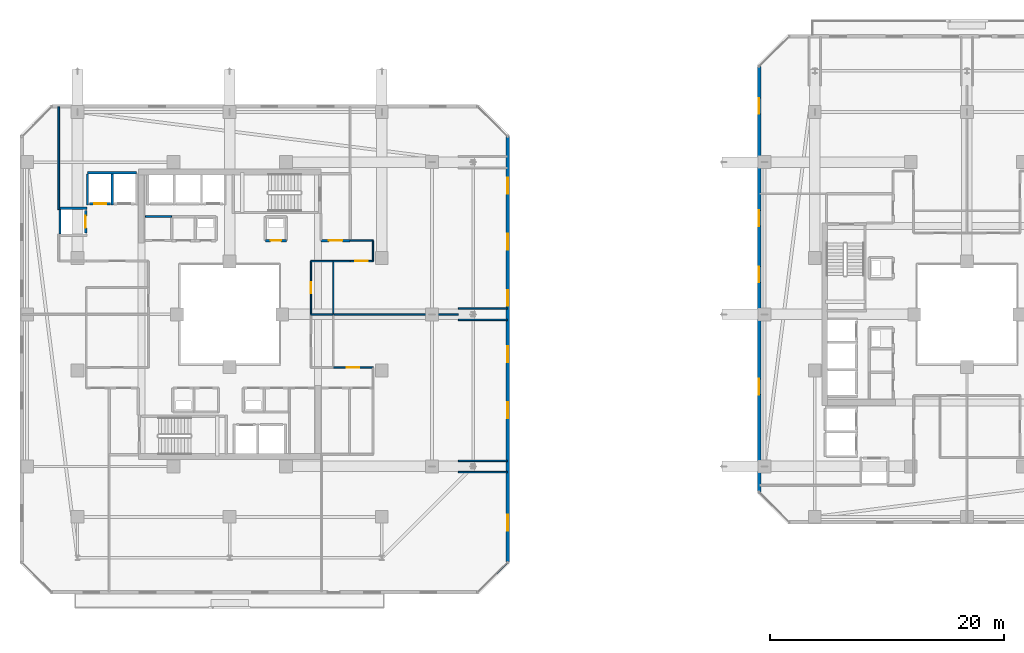
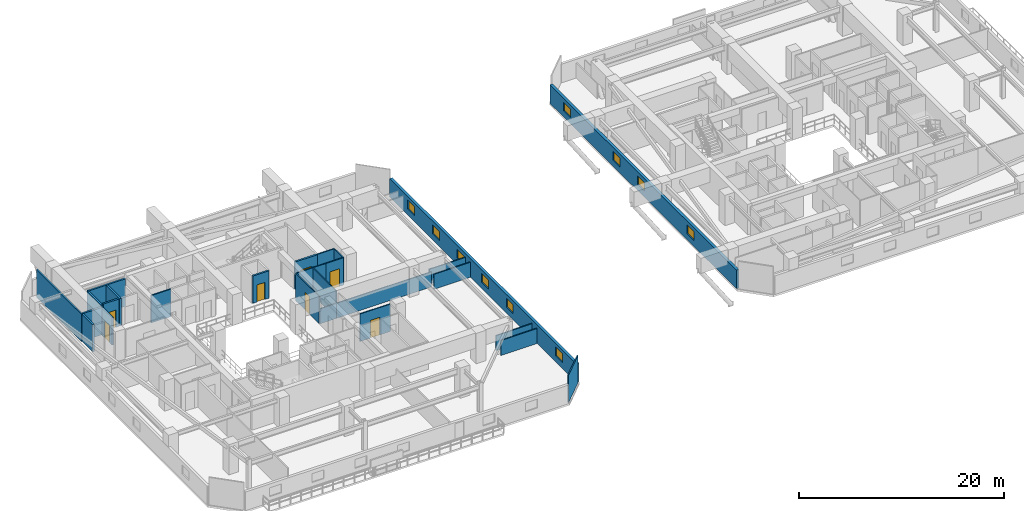
# One storey, part 24 of 36: 28 walls, 10 windows, 7 doors, 17 openings.
"""IFC4 building model written with IfcOpenShell, lengths in metres."""

from ifc_helpers import new_model, si_unit, direction, frame, frame_2d, origin, place, context, subcontext, project, spatial, rectangle, extrude, material, layer, layer_set, type_object, element, fill, save


model = new_model("IFC4")

# Units and contexts
model_context = context("Model", 3, precision=1e-05, world=origin(), true_north=direction((0.0, 1.0)))
body_context = subcontext(model_context, "Body", "Model", "MODEL_VIEW")
ifc_project = project(units=[si_unit("LENGTHUNIT", "METRE"), si_unit("AREAUNIT", "SQUARE_METRE"), si_unit("VOLUMEUNIT", "CUBIC_METRE"), si_unit("PLANEANGLEUNIT", "RADIAN"), si_unit("MASSUNIT", "GRAM", prefix="KILO")], contexts=[model_context])

# Site, building, storey
site_placement = place(None, origin())
site = spatial("IfcSite", under=ifc_project, at=site_placement, CompositionType="ELEMENT")
building_placement = place(site_placement, origin())
building = spatial("IfcBuilding", under=site, at=building_placement, Name="Thornwick Lancets Civic Towers", CompositionType="ELEMENT")
storey_placement = place(building_placement, frame((0.0, 0.0, 170.699951171875)))
storey = spatial("IfcBuildingStorey", under=building, at=storey_placement, Name="L45", CompositionType="ELEMENT", Elevation=170.699951171875)

# Wall, opening, door
ifc_material_1 = material(Name="Concrete blockwork C40/50", Category="masonry")
ifc_layer_1 = layer(ifc_material_1, 0.199951171875, Name="Concrete blockwork C40/50")
ifc_layer_set_1 = layer_set([ifc_layer_1], Name="Concrete blockwork C40/50")
wall_type_1 = type_object("IfcWallType", Name="WALL_COMP_200", PredefinedType="STANDARD", material=ifc_layer_set_1)
wall_1_placement = place(storey_placement, frame((15.320068359375, 36.449951171875, 0.0), z_axis=(0.0, 0.0, 1.0), x_axis=(-1.0, 0.0, 0.0)))
wall_1 = element("IfcWall", 1, at=wall_1_placement, inside=storey, type_object=wall_type_1, Name="L45 Hoistway Front Wall PL-AM2", PredefinedType="STANDARD", context=body_context, shape_type="SweptSolid", body=[
    extrude(rectangle(XDim=1.7900390625, YDim=0.199951171875, at=frame_2d((0.89501953125, 0.0))), origin(), (0.0, 0.0, 1.0), 3.260009765625),
])
opening_1_placement = place(wall_1_placement, frame((0.385009765625, 0.0, 0.0)))
opening_1 = element("IfcOpeningElement", 2, at=opening_1_placement, cuts=wall_1, Name="Opening LD-PL-AM2", PredefinedType="OPENING", context=body_context, shape_type="SweptSolid", body=[
    extrude(rectangle(XDim=1.02001953125, YDim=2.06005859375, at=frame_2d((0.510009765625, 1.030029296875))), frame((0.0, 0.10986328125, 0.0), z_axis=(0.0, -1.0, 0.0), x_axis=(1.0, 0.0, 0.0)), (0.0, 0.0, 1.0), 0.219970703125),
])
ifc_material_2 = material(Name="Brushed bronze stainless steel", Category="steel")
door_type_1 = type_object("IfcDoorType", Name="DOOR_LIFT_SLIDE", OperationType="SLIDING_TO_LEFT", PredefinedType="DOOR", material=ifc_material_2)
door_1_placement = place(opening_1_placement, origin())
door_1 = element("IfcDoor", 3, at=door_1_placement, inside=storey, type_object=door_type_1, Name="L45 Sliding Lift Landing Door LD-PL-AM2", OperationType="SLIDING_TO_LEFT", OverallHeight=2.06005859375, OverallWidth=1.02001953125, PredefinedType="DOOR", context=body_context, shape_type="SweptSolid", body=[
    extrude(rectangle(XDim=1.02001953125, YDim=2.06005859375, at=frame_2d((0.510009765625, 1.030029296875))), frame((0.0, 0.02490234375, 0.0), z_axis=(0.0, -1.0, 0.0), x_axis=(1.0, 0.0, 0.0)), (0.0, 0.0, 1.0), 0.050048828125),
])
fill(opening_1, door_1)

wall_2_placement = place(storey_placement, frame((13.199951171875, 33.929931640625, 0.0), z_axis=(0.0, 0.0, 1.0), x_axis=(0.0, 1.0, 0.0)))
wall_2 = element("IfcWall", 4, at=wall_2_placement, inside=storey, type_object=wall_type_1, Name="L45 Hoistway Front Wall PL-AM3", PredefinedType="STANDARD", context=body_context, shape_type="SweptSolid", body=[
    extrude(rectangle(XDim=1.940185546875, YDim=0.199951171875, at=frame_2d((0.97021484375, 0.0))), origin(), (0.0, 0.0, 1.0), 3.260009765625),
])
opening_2_placement = place(wall_2_placement, frame((0.4599609375, 0.0, 0.0)))
opening_2 = element("IfcOpeningElement", 5, at=opening_2_placement, cuts=wall_2, Name="Opening LD-PL-AM3", PredefinedType="OPENING", context=body_context, shape_type="SweptSolid", body=[
    extrude(rectangle(XDim=1.02001953125, YDim=2.06005859375, at=frame_2d((0.510009765625, 1.030029296875))), frame((0.0, 0.10986328125, 0.0), z_axis=(0.0, -1.0, 0.0), x_axis=(1.0, 0.0, 0.0)), (0.0, 0.0, 1.0), 0.219970703125),
])
door_2_placement = place(opening_2_placement, origin())
door_2 = element("IfcDoor", 6, at=door_2_placement, inside=storey, type_object=door_type_1, Name="L45 Sliding Lift Landing Door LD-PL-AM3", OperationType="SLIDING_TO_LEFT", OverallHeight=2.06005859375, OverallWidth=1.02001953125, PredefinedType="DOOR", context=body_context, shape_type="SweptSolid", body=[
    extrude(rectangle(XDim=1.02001953125, YDim=2.06005859375, at=frame_2d((0.510009765625, 1.030029296875))), frame((0.0, 0.02490234375, 0.0), z_axis=(0.0, -1.0, 0.0), x_axis=(1.0, 0.0, 0.0)), (0.0, 0.0, 1.0), 0.050048828125),
])
fill(opening_2, door_2)

# Walls
wall_3_placement = place(storey_placement, frame((13.35205078125, 39.10009765625, 0.0), z_axis=(0.0, 0.0, 1.0), x_axis=(1.0, 0.0, 0.0)))
element("IfcWall", 7, at=wall_3_placement, inside=storey, type_object=wall_type_1, Name="L45 Hoistway Shaft Wall PL-AM1 N", PredefinedType="STANDARD", context=body_context, shape_type="SweptSolid", body=[
    extrude(rectangle(XDim=4.196044921875, YDim=0.199951171875, at=frame_2d((2.09814453125, 0.0))), origin(), (0.0, 0.0, 1.0), 3.260009765625),
])
for number, where, z_axis, x_axis, name in (
    (8, (15.47509765625, 36.35205078125, 0.0), (0.0, 0.0, 1.0), (0.0, 1.0, 0.0), "L45 Hoistway Shaft Wall PL-AM1 W"),
    (9, (13.35009765625, 36.35205078125, 0.0), (0.0, 0.0, 1.0), (0.0, 1.0, 0.0), "L45 Hoistway Shaft Wall PL-AM2 W"),
):
    element("IfcWall", number, at=place(storey_placement, frame(where, z_axis=z_axis, x_axis=x_axis)), inside=storey, type_object=wall_type_1, Name=name, PredefinedType="STANDARD", context=body_context, shape_type="SweptSolid", body=[
        extrude(rectangle(XDim=2.635986328125, YDim=0.199951171875, at=frame_2d((1.31787109375, 0.0))), origin(), (0.0, 0.0, 1.0), 3.260009765625),
    ])
wall_4_placement = place(storey_placement, frame((11.001953125, 36.050048828125, 0.0), z_axis=(0.0, 0.0, 1.0), x_axis=(1.0, 0.0, 0.0)))
element("IfcWall", 10, at=wall_4_placement, inside=storey, type_object=wall_type_1, Name="L45 Hoistway Shaft Wall PL-AM3 N", PredefinedType="STANDARD", context=body_context, shape_type="SweptSolid", body=[
    extrude(rectangle(XDim=2.296142578125, YDim=0.199951171875, at=frame_2d((1.14794921875, 0.0))), origin(), (0.0, 0.0, 1.0), 3.260009765625),
])
wall_5_placement = place(storey_placement, frame((11.0, 33.862060546875, 0.0), z_axis=(0.0, 0.0, 1.0), x_axis=(0.0, 1.0, 0.0)))
element("IfcWall", 11, at=wall_5_placement, inside=storey, type_object=wall_type_1, Name="L45 Hoistway Shaft Wall PL-AM3 W", PredefinedType="STANDARD", context=body_context, shape_type="SweptSolid", body=[
    extrude(rectangle(XDim=2.075927734375, YDim=0.199951171875, at=frame_2d((1.0380859375, 0.0))), origin(), (0.0, 0.0, 1.0), 3.260009765625),
])

# Wall, opening, door
wall_6_placement = place(storey_placement, frame((33.300048828125, 33.300048828125, 0.0), z_axis=(0.0, 0.0, 1.0), x_axis=(1.0, 0.0, 0.0)))
wall_6 = element("IfcWall", 12, at=wall_6_placement, inside=storey, type_object=wall_type_1, Name="L45 Partition L45-A-FFLOB2 E1", PredefinedType="STANDARD", context=body_context, shape_type="SweptSolid", body=[
    extrude(rectangle(XDim=2.5, YDim=0.199951171875, at=frame_2d((1.25, 0.0))), origin(), (0.0, 0.0, 1.0), 3.260009765625),
])
opening_3_placement = place(wall_6_placement, frame((0.675048828125, 0.0, 0.0)))
opening_3 = element("IfcOpeningElement", 13, at=opening_3_placement, cuts=wall_6, Name="Opening D-L45-2004", PredefinedType="OPENING", context=body_context, shape_type="SweptSolid", body=[
    extrude(rectangle(XDim=1.14990234375, YDim=2.10009765625, at=frame_2d((0.574951171875, 1.050048828125))), frame((0.0, 0.10986328125, 0.0), z_axis=(0.0, -1.0, 0.0), x_axis=(1.0, 0.0, 0.0)), (0.0, 0.0, 1.0), 0.219970703125),
])
ifc_material_3 = material(Name="Glazed fire-resisting steel", Category="steel")
door_type_2 = type_object("IfcDoorType", Name="DOOR_LOBBY_FD60", OperationType="NOTDEFINED", PredefinedType="DOOR", material=ifc_material_3)
door_3_placement = place(opening_3_placement, origin())
door_3 = element("IfcDoor", 14, at=door_3_placement, inside=storey, type_object=door_type_2, Name="L45 North Firefighting Lobby 2 Door", OperationType="SINGLE_SWING_LEFT", OverallHeight=2.10009765625, OverallWidth=1.14990234375, PredefinedType="DOOR", context=body_context, shape_type="SweptSolid", body=[
    extrude(rectangle(XDim=1.14990234375, YDim=2.10009765625, at=frame_2d((0.574951171875, 1.050048828125))), frame((0.0, 0.02490234375, 0.0), z_axis=(0.0, -1.0, 0.0), x_axis=(1.0, 0.0, 0.0)), (0.0, 0.0, 1.0), 0.050048828125),
])
fill(opening_3, door_3)

wall_7_placement = place(storey_placement, frame((28.550048828125, 33.300048828125, 0.0), z_axis=(0.0, 0.0, 1.0), x_axis=(1.0, 0.0, 0.0)))
wall_7 = element("IfcWall", 15, at=wall_7_placement, inside=storey, type_object=wall_type_1, Name="L45 Partition L45-A-RISER2 E1", PredefinedType="STANDARD", context=body_context, shape_type="SweptSolid", body=[
    extrude(rectangle(XDim=1.800048828125, YDim=0.199951171875, at=frame_2d((0.89990234375, 0.0))), origin(), (0.0, 0.0, 1.0), 3.260009765625),
])
opening_4_placement = place(wall_7_placement, frame((0.4599609375, 0.0, 0.0)))
opening_4 = element("IfcOpeningElement", 16, at=opening_4_placement, cuts=wall_7, Name="Opening D-L45-2008", PredefinedType="OPENING", context=body_context, shape_type="SweptSolid", body=[
    extrude(rectangle(XDim=0.8798828125, YDim=2.0400390625, at=frame_2d((0.43994140625, 1.02001953125))), frame((0.0, 0.10986328125, 0.0), z_axis=(0.0, -1.0, 0.0), x_axis=(1.0, 0.0, 0.0)), (0.0, 0.0, 1.0), 0.219970703125),
])
ifc_material_4 = material(Name="Steel riser access doorset", Category="steel")
door_type_3 = type_object("IfcDoorType", Name="DOOR_RISER_850", OperationType="NOTDEFINED", PredefinedType="DOOR", material=ifc_material_4)
door_4_placement = place(opening_4_placement, origin())
door_4 = element("IfcDoor", 17, at=door_4_placement, inside=storey, type_object=door_type_3, Name="L45 North Service Riser 2 Door", OperationType="SINGLE_SWING_LEFT", OverallHeight=2.0400390625, OverallWidth=0.8798828125, PredefinedType="DOOR", context=body_context, shape_type="SweptSolid", body=[
    extrude(rectangle(XDim=0.8798828125, YDim=2.0400390625, at=frame_2d((0.43994140625, 1.02001953125))), frame((0.0, 0.02490234375, 0.0), z_axis=(0.0, -1.0, 0.0), x_axis=(1.0, 0.0, 0.0)), (0.0, 0.0, 1.0), 0.050048828125),
])
fill(opening_4, door_4)

# Wall, openings, windows
ifc_material_5 = material(Name="Insulated russet terracotta rainscreen on concrete C40/50", Category="masonry")
ifc_layer_2 = layer(ifc_material_5, 0.300048828125, Name="Insulated russet terracotta rainscreen on concrete C40/50")
ifc_layer_set_2 = layer_set([ifc_layer_2], Name="Insulated russet terracotta rainscreen on concrete C40/50")
wall_type_2 = type_object("IfcWallType", Name="WALL_EXT_RUSSET_300", PredefinedType="STANDARD", material=ifc_layer_set_2)
wall_8_placement = place(storey_placement, frame((49.2646484375, 5.818603515625, 0.0), z_axis=(0.0, 0.0, 1.0), x_axis=(0.0, 1.0, 0.0)))
wall_8 = element("IfcWall", 18, at=wall_8_placement, inside=storey, type_object=wall_type_2, Name="L45 Tower A Terracotta Facade Wall E2", PredefinedType="STANDARD", context=body_context, shape_type="SweptSolid", body=[
    extrude(rectangle(XDim=36.36279296875, YDim=0.300048828125, at=frame_2d((18.181396484375, 0.0))), origin(), (0.0, 0.0, 1.0), 2.219970703125),
])
opening_5_placement = place(wall_8_placement, frame((2.699951171875, 0.0, 0.719970703125)))
opening_5 = element("IfcOpeningElement", 19, at=opening_5_placement, cuts=wall_8, Name="Opening WL-03", PredefinedType="OPENING", context=body_context, shape_type="SweptSolid", body=[
    extrude(rectangle(XDim=1.35009765625, YDim=1.050048828125, at=frame_2d((0.675048828125, 0.52490234375))), frame((0.0, 0.16015625, 0.0), z_axis=(0.0, -1.0, 0.0), x_axis=(1.0, 0.0, 0.0)), (0.0, 0.0, 1.0), 0.320068359375),
])
opening_6_placement = place(wall_8_placement, frame((12.300048828125, 0.0, 0.719970703125)))
opening_6 = element("IfcOpeningElement", 20, at=opening_6_placement, cuts=wall_8, Name="Opening WL-03", PredefinedType="OPENING", context=body_context, shape_type="SweptSolid", body=[
    extrude(rectangle(XDim=1.35009765625, YDim=1.050048828125, at=frame_2d((0.675048828125, 0.52490234375))), frame((0.0, 0.16015625, 0.0), z_axis=(0.0, -1.0, 0.0), x_axis=(1.0, 0.0, 0.0)), (0.0, 0.0, 1.0), 0.320068359375),
])
opening_7_placement = place(wall_8_placement, frame((17.10009765625, 0.0, 0.719970703125)))
opening_7 = element("IfcOpeningElement", 21, at=opening_7_placement, cuts=wall_8, Name="Opening WL-03", PredefinedType="OPENING", context=body_context, shape_type="SweptSolid", body=[
    extrude(rectangle(XDim=1.35009765625, YDim=1.050048828125, at=frame_2d((0.675048828125, 0.52490234375))), frame((0.0, 0.16015625, 0.0), z_axis=(0.0, -1.0, 0.0), x_axis=(1.0, 0.0, 0.0)), (0.0, 0.0, 1.0), 0.320068359375),
])
opening_8_placement = place(wall_8_placement, frame((21.89990234375, 0.0, 0.719970703125)))
opening_8 = element("IfcOpeningElement", 22, at=opening_8_placement, cuts=wall_8, Name="Opening WL-03", PredefinedType="OPENING", context=body_context, shape_type="SweptSolid", body=[
    extrude(rectangle(XDim=1.35009765625, YDim=1.050048828125, at=frame_2d((0.675048828125, 0.52490234375))), frame((0.0, 0.16015625, 0.0), z_axis=(0.0, -1.0, 0.0), x_axis=(1.0, 0.0, 0.0)), (0.0, 0.0, 1.0), 0.320068359375),
])
opening_9_placement = place(wall_8_placement, frame((26.699951171875, 0.0, 0.719970703125)))
opening_9 = element("IfcOpeningElement", 23, at=opening_9_placement, cuts=wall_8, Name="Opening WL-03", PredefinedType="OPENING", context=body_context, shape_type="SweptSolid", body=[
    extrude(rectangle(XDim=1.35009765625, YDim=1.050048828125, at=frame_2d((0.675048828125, 0.52490234375))), frame((0.0, 0.16015625, 0.0), z_axis=(0.0, -1.0, 0.0), x_axis=(1.0, 0.0, 0.0)), (0.0, 0.0, 1.0), 0.320068359375),
])
opening_10_placement = place(wall_8_placement, frame((31.5, 0.0, 0.719970703125)))
opening_10 = element("IfcOpeningElement", 24, at=opening_10_placement, cuts=wall_8, Name="Opening WL-03", PredefinedType="OPENING", context=body_context, shape_type="SweptSolid", body=[
    extrude(rectangle(XDim=1.35009765625, YDim=1.050048828125, at=frame_2d((0.675048828125, 0.52490234375))), frame((0.0, 0.16015625, 0.0), z_axis=(0.0, -1.0, 0.0), x_axis=(1.0, 0.0, 0.0)), (0.0, 0.0, 1.0), 0.320068359375),
])
ifc_material_6 = material(Name="Clear low-e double glazing clerestory lancet", Category="glass")
window_type = type_object("IfcWindowType", Name="WIN_LANCET_1350", PartitioningType="SINGLE_PANEL", PredefinedType="WINDOW", material=ifc_material_6)
window_1_placement = place(opening_5_placement, origin())
window_1 = element("IfcWindow", 25, at=window_1_placement, inside=storey, type_object=window_type, Name="L45 Tower A Staggered Lancet Window E2-1", OverallHeight=1.050048828125, OverallWidth=1.35009765625, PartitioningType="SINGLE_PANEL", PredefinedType="WINDOW", context=body_context, shape_type="SweptSolid", body=[
    extrude(rectangle(XDim=1.35009765625, YDim=1.050048828125, at=frame_2d((0.675048828125, 0.52490234375))), frame((0.0, 0.030029296875, 0.0), z_axis=(0.0, -1.0, 0.0), x_axis=(1.0, 0.0, 0.0)), (0.0, 0.0, 1.0), 0.06005859375),
])
fill(opening_5, window_1)
window_2_placement = place(opening_6_placement, origin())
window_2 = element("IfcWindow", 26, at=window_2_placement, inside=storey, type_object=window_type, Name="L45 Tower A Staggered Lancet Window E2-2", OverallHeight=1.050048828125, OverallWidth=1.35009765625, PartitioningType="SINGLE_PANEL", PredefinedType="WINDOW", context=body_context, shape_type="SweptSolid", body=[
    extrude(rectangle(XDim=1.35009765625, YDim=1.050048828125, at=frame_2d((0.675048828125, 0.52490234375))), frame((0.0, 0.030029296875, 0.0), z_axis=(0.0, -1.0, 0.0), x_axis=(1.0, 0.0, 0.0)), (0.0, 0.0, 1.0), 0.06005859375),
])
fill(opening_6, window_2)
window_3_placement = place(opening_7_placement, origin())
window_3 = element("IfcWindow", 27, at=window_3_placement, inside=storey, type_object=window_type, Name="L45 Tower A Staggered Lancet Window E2-3", OverallHeight=1.050048828125, OverallWidth=1.35009765625, PartitioningType="SINGLE_PANEL", PredefinedType="WINDOW", context=body_context, shape_type="SweptSolid", body=[
    extrude(rectangle(XDim=1.35009765625, YDim=1.050048828125, at=frame_2d((0.675048828125, 0.52490234375))), frame((0.0, 0.030029296875, 0.0), z_axis=(0.0, -1.0, 0.0), x_axis=(1.0, 0.0, 0.0)), (0.0, 0.0, 1.0), 0.06005859375),
])
fill(opening_7, window_3)
window_4_placement = place(opening_8_placement, origin())
window_4 = element("IfcWindow", 28, at=window_4_placement, inside=storey, type_object=window_type, Name="L45 Tower A Staggered Lancet Window E2-4", OverallHeight=1.050048828125, OverallWidth=1.35009765625, PartitioningType="SINGLE_PANEL", PredefinedType="WINDOW", context=body_context, shape_type="SweptSolid", body=[
    extrude(rectangle(XDim=1.35009765625, YDim=1.050048828125, at=frame_2d((0.675048828125, 0.52490234375))), frame((0.0, 0.030029296875, 0.0), z_axis=(0.0, -1.0, 0.0), x_axis=(1.0, 0.0, 0.0)), (0.0, 0.0, 1.0), 0.06005859375),
])
fill(opening_8, window_4)
window_5_placement = place(opening_9_placement, origin())
window_5 = element("IfcWindow", 29, at=window_5_placement, inside=storey, type_object=window_type, Name="L45 Tower A Staggered Lancet Window E2-5", OverallHeight=1.050048828125, OverallWidth=1.35009765625, PartitioningType="SINGLE_PANEL", PredefinedType="WINDOW", context=body_context, shape_type="SweptSolid", body=[
    extrude(rectangle(XDim=1.35009765625, YDim=1.050048828125, at=frame_2d((0.675048828125, 0.52490234375))), frame((0.0, 0.030029296875, 0.0), z_axis=(0.0, -1.0, 0.0), x_axis=(1.0, 0.0, 0.0)), (0.0, 0.0, 1.0), 0.06005859375),
])
fill(opening_9, window_5)
window_6_placement = place(opening_10_placement, origin())
window_6 = element("IfcWindow", 30, at=window_6_placement, inside=storey, type_object=window_type, Name="L45 Tower A Staggered Lancet Window E2-6", OverallHeight=1.050048828125, OverallWidth=1.35009765625, PartitioningType="SINGLE_PANEL", PredefinedType="WINDOW", context=body_context, shape_type="SweptSolid", body=[
    extrude(rectangle(XDim=1.35009765625, YDim=1.050048828125, at=frame_2d((0.675048828125, 0.52490234375))), frame((0.0, 0.030029296875, 0.0), z_axis=(0.0, -1.0, 0.0), x_axis=(1.0, 0.0, 0.0)), (0.0, 0.0, 1.0), 0.06005859375),
])
fill(opening_10, window_6)

wall_9_placement = place(storey_placement, frame((70.7353515625, 48.181396484375, 0.0), z_axis=(0.0, 0.0, 1.0), x_axis=(0.0, -1.0, 0.0)))
wall_9 = element("IfcWall", 31, at=wall_9_placement, inside=storey, type_object=wall_type_2, Name="L45 Tower B Terracotta Facade Wall E6", PredefinedType="STANDARD", context=body_context, shape_type="SweptSolid", body=[
    extrude(rectangle(XDim=36.36279296875, YDim=0.300048828125, at=frame_2d((18.181396484375, 0.0))), origin(), (0.0, 0.0, 1.0), 2.219970703125),
])
opening_11_placement = place(wall_9_placement, frame((2.699951171875, 0.0, 0.719970703125)))
opening_11 = element("IfcOpeningElement", 32, at=opening_11_placement, cuts=wall_9, Name="Opening WL-03", PredefinedType="OPENING", context=body_context, shape_type="SweptSolid", body=[
    extrude(rectangle(XDim=1.35009765625, YDim=1.050048828125, at=frame_2d((0.675048828125, 0.52490234375))), frame((0.0, 0.16015625, 0.0), z_axis=(0.0, -1.0, 0.0), x_axis=(1.0, 0.0, 0.0)), (0.0, 0.0, 1.0), 0.320068359375),
])
opening_12_placement = place(wall_9_placement, frame((12.300048828125, 0.0, 0.719970703125)))
opening_12 = element("IfcOpeningElement", 33, at=opening_12_placement, cuts=wall_9, Name="Opening WL-03", PredefinedType="OPENING", context=body_context, shape_type="SweptSolid", body=[
    extrude(rectangle(XDim=1.35009765625, YDim=1.050048828125, at=frame_2d((0.675048828125, 0.52490234375))), frame((0.0, 0.16015625, 0.0), z_axis=(0.0, -1.0, 0.0), x_axis=(1.0, 0.0, 0.0)), (0.0, 0.0, 1.0), 0.320068359375),
])
opening_13_placement = place(wall_9_placement, frame((17.10009765625, 0.0, 0.719970703125)))
opening_13 = element("IfcOpeningElement", 34, at=opening_13_placement, cuts=wall_9, Name="Opening WL-03", PredefinedType="OPENING", context=body_context, shape_type="SweptSolid", body=[
    extrude(rectangle(XDim=1.35009765625, YDim=1.050048828125, at=frame_2d((0.675048828125, 0.52490234375))), frame((0.0, 0.16015625, 0.0), z_axis=(0.0, -1.0, 0.0), x_axis=(1.0, 0.0, 0.0)), (0.0, 0.0, 1.0), 0.320068359375),
])
opening_14_placement = place(wall_9_placement, frame((26.699951171875, 0.0, 0.719970703125)))
opening_14 = element("IfcOpeningElement", 35, at=opening_14_placement, cuts=wall_9, Name="Opening WL-03", PredefinedType="OPENING", context=body_context, shape_type="SweptSolid", body=[
    extrude(rectangle(XDim=1.35009765625, YDim=1.050048828125, at=frame_2d((0.675048828125, 0.52490234375))), frame((0.0, 0.16015625, 0.0), z_axis=(0.0, -1.0, 0.0), x_axis=(1.0, 0.0, 0.0)), (0.0, 0.0, 1.0), 0.320068359375),
])
window_7_placement = place(opening_11_placement, origin())
window_7 = element("IfcWindow", 36, at=window_7_placement, inside=storey, type_object=window_type, Name="L45 Tower B Staggered Lancet Window E6-1", OverallHeight=1.050048828125, OverallWidth=1.35009765625, PartitioningType="SINGLE_PANEL", PredefinedType="WINDOW", context=body_context, shape_type="SweptSolid", body=[
    extrude(rectangle(XDim=1.35009765625, YDim=1.050048828125, at=frame_2d((0.675048828125, 0.52490234375))), frame((0.0, 0.030029296875, 0.0), z_axis=(0.0, -1.0, 0.0), x_axis=(1.0, 0.0, 0.0)), (0.0, 0.0, 1.0), 0.06005859375),
])
fill(opening_11, window_7)
window_8_placement = place(opening_12_placement, origin())
window_8 = element("IfcWindow", 37, at=window_8_placement, inside=storey, type_object=window_type, Name="L45 Tower B Staggered Lancet Window E6-2", OverallHeight=1.050048828125, OverallWidth=1.35009765625, PartitioningType="SINGLE_PANEL", PredefinedType="WINDOW", context=body_context, shape_type="SweptSolid", body=[
    extrude(rectangle(XDim=1.35009765625, YDim=1.050048828125, at=frame_2d((0.675048828125, 0.52490234375))), frame((0.0, 0.030029296875, 0.0), z_axis=(0.0, -1.0, 0.0), x_axis=(1.0, 0.0, 0.0)), (0.0, 0.0, 1.0), 0.06005859375),
])
fill(opening_12, window_8)
window_9_placement = place(opening_13_placement, origin())
window_9 = element("IfcWindow", 38, at=window_9_placement, inside=storey, type_object=window_type, Name="L45 Tower B Staggered Lancet Window E6-3", OverallHeight=1.050048828125, OverallWidth=1.35009765625, PartitioningType="SINGLE_PANEL", PredefinedType="WINDOW", context=body_context, shape_type="SweptSolid", body=[
    extrude(rectangle(XDim=1.35009765625, YDim=1.050048828125, at=frame_2d((0.675048828125, 0.52490234375))), frame((0.0, 0.030029296875, 0.0), z_axis=(0.0, -1.0, 0.0), x_axis=(1.0, 0.0, 0.0)), (0.0, 0.0, 1.0), 0.06005859375),
])
fill(opening_13, window_9)
window_10_placement = place(opening_14_placement, origin())
window_10 = element("IfcWindow", 39, at=window_10_placement, inside=storey, type_object=window_type, Name="L45 Tower B Staggered Lancet Window E6-4", OverallHeight=1.050048828125, OverallWidth=1.35009765625, PartitioningType="SINGLE_PANEL", PredefinedType="WINDOW", context=body_context, shape_type="SweptSolid", body=[
    extrude(rectangle(XDim=1.35009765625, YDim=1.050048828125, at=frame_2d((0.675048828125, 0.52490234375))), frame((0.0, 0.030029296875, 0.0), z_axis=(0.0, -1.0, 0.0), x_axis=(1.0, 0.0, 0.0)), (0.0, 0.0, 1.0), 0.06005859375),
])
fill(opening_14, window_10)

# Wall
ifc_material_7 = material(Name="Acoustic gypsum board partition")
ifc_layer_3 = layer(ifc_material_7, 0.1201171875, Name="Acoustic gypsum board partition")
ifc_layer_set_3 = layer_set([ifc_layer_3], Name="Acoustic gypsum board partition")
wall_type_3 = type_object("IfcWallType", Name="WALL_PART_120", PredefinedType="PARTITIONING", material=ifc_layer_set_3)
wall_10_placement = place(storey_placement, frame((32.449951171875, 27.0, 0.0), z_axis=(0.0, 0.0, 1.0), x_axis=(1.0, 0.0, 0.0)))
element("IfcWall", 40, at=wall_10_placement, inside=storey, type_object=wall_type_3, Name="L45 Partition L45-A-E1 E2", PredefinedType="PARTITIONING", context=body_context, shape_type="SweptSolid", body=[
    extrude(rectangle(XDim=1.900146484375, YDim=0.1201171875, at=frame_2d((0.9501953125, 0.0))), origin(), (0.0, 0.0, 1.0), 1.78515625),
])

# Wall, opening, door
wall_11_placement = place(storey_placement, frame((37.75, 22.449951171875, 0.0), z_axis=(0.0, 0.0, 1.0), x_axis=(-1.0, 0.0, 0.0)))
wall_11 = element("IfcWall", 41, at=wall_11_placement, inside=storey, type_object=wall_type_3, Name="L45 Partition L45-A-E2 E7", PredefinedType="PARTITIONING", context=body_context, shape_type="SweptSolid", body=[
    extrude(rectangle(XDim=3.39990234375, YDim=0.1201171875, at=frame_2d((1.699951171875, 0.0))), origin(), (0.0, 0.0, 1.0), 3.260009765625),
])
opening_15_placement = place(wall_11_placement, frame((1.175048828125, 0.0, 0.0)))
opening_15 = element("IfcOpeningElement", 42, at=opening_15_placement, cuts=wall_11, Name="Opening D-L45-2032", PredefinedType="OPENING", context=body_context, shape_type="SweptSolid", body=[
    extrude(rectangle(XDim=1.050048828125, YDim=2.10009765625, at=frame_2d((0.52490234375, 1.050048828125))), frame((0.0, 0.070068359375, 0.0), z_axis=(0.0, -1.0, 0.0), x_axis=(1.0, 0.0, 0.0)), (0.0, 0.0, 1.0), 0.14013671875),
])
ifc_material_8 = material(Name="Glazed European oak executive doorset")
door_type_4 = type_object("IfcDoorType", Name="DOOR_OFFICE_1050", OperationType="NOTDEFINED", PredefinedType="DOOR", material=ifc_material_8)
door_5_placement = place(opening_15_placement, origin())
door_5 = element("IfcDoor", 43, at=door_5_placement, inside=storey, type_object=door_type_4, Name="L45 Tower A Secretariat Open Office E1 Door", OperationType="SINGLE_SWING_LEFT", OverallHeight=2.10009765625, OverallWidth=1.050048828125, PredefinedType="DOOR", context=body_context, shape_type="SweptSolid", body=[
    extrude(rectangle(XDim=1.050048828125, YDim=2.10009765625, at=frame_2d((0.52490234375, 1.050048828125))), frame((0.0, 0.02490234375, 0.0), z_axis=(0.0, -1.0, 0.0), x_axis=(1.0, 0.0, 0.0)), (0.0, 0.0, 1.0), 0.050048828125),
])
fill(opening_15, door_5)

# Walls
wall_12_placement = place(storey_placement, frame((34.35009765625, 27.0, 0.0), z_axis=(0.0, 0.0, 1.0), x_axis=(1.0, 0.0, 0.0)))
element("IfcWall", 44, at=wall_12_placement, inside=storey, type_object=wall_type_3, Name="L45 Partition L45-A-E2 E9", PredefinedType="PARTITIONING", context=body_context, shape_type="SweptSolid", body=[
    extrude(rectangle(XDim=10.69189453125, YDim=0.1201171875, at=frame_2d((5.345947265625, 0.0))), origin(), (0.0, 0.0, 1.0), 1.78515625),
])
for number, where, z_axis, x_axis, name in (
    (45, (45.0419921875, 26.52001953125, 0.0), (0.0, 0.0, 1.0), (1.0, 0.0, 0.0), "L45 Partition L45-A-E2 E11"),
    (46, (49.219970703125, 14.47998046875, 0.0), (0.0, 0.0, 1.0), (-1.0, 0.0, 0.0), "L45 Partition L45-A-E2 E13"),
    (47, (45.0419921875, 13.52001953125, 0.0), (0.0, 0.0, 1.0), (1.0, 0.0, 0.0), "L45 Partition L45-A-E2 E15"),
):
    element("IfcWall", number, at=place(storey_placement, frame(where, z_axis=z_axis, x_axis=x_axis)), inside=storey, type_object=wall_type_3, Name=name, PredefinedType="PARTITIONING", context=body_context, shape_type="SweptSolid", body=[
        extrude(rectangle(XDim=4.177978515625, YDim=0.1201171875, at=frame_2d((2.0888671875, 0.0))), origin(), (0.0, 0.0, 1.0), 1.78515625),
    ])
wall_13_placement = place(storey_placement, frame((49.219970703125, 5.774658203125, 0.0), z_axis=(0.0, 0.0, 1.0), x_axis=(-0.707106781187, -0.707106781187, 0.0)))
element("IfcWall", 48, at=wall_13_placement, inside=storey, type_object=wall_type_3, Name="L45 Partition L45-A-E2 E17", PredefinedType="PARTITIONING", context=body_context, shape_type="SweptSolid", body=[
    extrude(rectangle(XDim=3.52783203125, YDim=0.1201171875, at=frame_2d((1.763916015625, 0.0))), origin(), (0.0, 0.0, 1.0), 3.260009765625),
])

# Wall, opening, door
wall_14_placement = place(storey_placement, frame((32.449951171875, 27.0, 0.0), z_axis=(0.0, 0.0, 1.0), x_axis=(0.0, 1.0, 0.0)))
wall_14 = element("IfcWall", 49, at=wall_14_placement, inside=storey, type_object=wall_type_3, Name="L45 Partition L45-A-E3 E1", PredefinedType="PARTITIONING", context=body_context, shape_type="SweptSolid", body=[
    extrude(rectangle(XDim=4.550048828125, YDim=0.1201171875, at=frame_2d((2.27490234375, 0.0))), origin(), (0.0, 0.0, 1.0), 3.260009765625),
])
opening_16_placement = place(wall_14_placement, frame((1.800048828125, 0.0, 0.0)))
opening_16 = element("IfcOpeningElement", 50, at=opening_16_placement, cuts=wall_14, Name="Opening D-L45-2033", PredefinedType="OPENING", context=body_context, shape_type="SweptSolid", body=[
    extrude(rectangle(XDim=0.949951171875, YDim=2.10009765625, at=frame_2d((0.47509765625, 1.050048828125))), frame((0.0, 0.070068359375, 0.0), z_axis=(0.0, -1.0, 0.0), x_axis=(1.0, 0.0, 0.0)), (0.0, 0.0, 1.0), 0.14013671875),
])
ifc_material_9 = material(Name="European oak acoustic doorset")
door_type_5 = type_object("IfcDoorType", Name="DOOR_OFFICE_950", OperationType="NOTDEFINED", PredefinedType="DOOR", material=ifc_material_9)
door_6_placement = place(opening_16_placement, origin())
door_6 = element("IfcDoor", 51, at=door_6_placement, inside=storey, type_object=door_type_5, Name="L45 Tower A Civic Seminar Room Door", OperationType="SINGLE_SWING_RIGHT", OverallHeight=2.10009765625, OverallWidth=0.949951171875, PredefinedType="DOOR", context=body_context, shape_type="SweptSolid", body=[
    extrude(rectangle(XDim=0.949951171875, YDim=2.10009765625, at=frame_2d((0.47509765625, 1.050048828125))), frame((0.0, 0.02490234375, 0.0), z_axis=(0.0, -1.0, 0.0), x_axis=(1.0, 0.0, 0.0)), (0.0, 0.0, 1.0), 0.050048828125),
])
fill(opening_16, door_6)

# Walls
wall_15_placement = place(storey_placement, frame((32.449951171875, 31.550048828125, 0.0), z_axis=(0.0, 0.0, 1.0), x_axis=(1.0, 0.0, 0.0)))
element("IfcWall", 52, at=wall_15_placement, inside=storey, type_object=wall_type_3, Name="L45 Partition L45-A-E3 E2", PredefinedType="PARTITIONING", context=body_context, shape_type="SweptSolid", body=[
    extrude(rectangle(XDim=1.900146484375, YDim=0.1201171875, at=frame_2d((0.9501953125, 0.0))), origin(), (0.0, 0.0, 1.0), 3.260009765625),
])
wall_16_placement = place(storey_placement, frame((34.35009765625, 31.550048828125, 0.0), z_axis=(0.0, 0.0, 1.0), x_axis=(0.0, -1.0, 0.0)))
element("IfcWall", 53, at=wall_16_placement, inside=storey, type_object=wall_type_3, Name="L45 Partition L45-A-E3 E3", PredefinedType="PARTITIONING", context=body_context, shape_type="SweptSolid", body=[
    extrude(rectangle(XDim=4.550048828125, YDim=0.1201171875, at=frame_2d((2.27490234375, 0.0))), origin(), (0.0, 0.0, 1.0), 3.260009765625),
])
wall_17_placement = place(storey_placement, frame((34.35009765625, 31.550048828125, 0.0), z_axis=(0.0, 0.0, 1.0), x_axis=(1.0, 0.0, 0.0)))
element("IfcWall", 54, at=wall_17_placement, inside=storey, type_object=wall_type_3, Name="L45 Partition L45-A-E4 E1", PredefinedType="PARTITIONING", context=body_context, shape_type="SweptSolid", body=[
    extrude(rectangle(XDim=1.449951171875, YDim=0.1201171875, at=frame_2d((0.72509765625, 0.0))), origin(), (0.0, 0.0, 1.0), 3.260009765625),
])

# Wall, opening, door
wall_18_placement = place(storey_placement, frame((35.800048828125, 31.550048828125, 0.0), z_axis=(0.0, 0.0, 1.0), x_axis=(1.0, 0.0, 0.0)))
wall_18 = element("IfcWall", 55, at=wall_18_placement, inside=storey, type_object=wall_type_3, Name="L45 Partition L45-A-E4 E2", PredefinedType="PARTITIONING", context=body_context, shape_type="SweptSolid", body=[
    extrude(rectangle(XDim=1.949951171875, YDim=0.1201171875, at=frame_2d((0.97509765625, 0.0))), origin(), (0.0, 0.0, 1.0), 3.260009765625),
])
opening_17_placement = place(wall_18_placement, frame((0.449951171875, 0.0, 0.0)))
opening_17 = element("IfcOpeningElement", 56, at=opening_17_placement, cuts=wall_18, Name="Opening D-L45-2034", PredefinedType="OPENING", context=body_context, shape_type="SweptSolid", body=[
    extrude(rectangle(XDim=1.050048828125, YDim=2.10009765625, at=frame_2d((0.52490234375, 1.050048828125))), frame((0.0, 0.070068359375, 0.0), z_axis=(0.0, -1.0, 0.0), x_axis=(1.0, 0.0, 0.0)), (0.0, 0.0, 1.0), 0.14013671875),
])
door_7_placement = place(opening_17_placement, origin())
door_7 = element("IfcDoor", 57, at=door_7_placement, inside=storey, type_object=door_type_4, Name="L45 Tower A Counsel Chambers Office E4 Door", OperationType="SINGLE_SWING_LEFT", OverallHeight=2.10009765625, OverallWidth=1.050048828125, PredefinedType="DOOR", context=body_context, shape_type="SweptSolid", body=[
    extrude(rectangle(XDim=1.050048828125, YDim=2.10009765625, at=frame_2d((0.52490234375, 1.050048828125))), frame((0.0, 0.02490234375, 0.0), z_axis=(0.0, -1.0, 0.0), x_axis=(1.0, 0.0, 0.0)), (0.0, 0.0, 1.0), 0.050048828125),
])
fill(opening_17, door_7)

# Walls
wall_19_placement = place(storey_placement, frame((37.75, 31.550048828125, 0.0), z_axis=(0.0, 0.0, 1.0), x_axis=(0.0, 1.0, 0.0)))
element("IfcWall", 58, at=wall_19_placement, inside=storey, type_object=wall_type_3, Name="L45 Partition L45-A-E4 E3", PredefinedType="PARTITIONING", context=body_context, shape_type="SweptSolid", body=[
    extrude(rectangle(XDim=1.75, YDim=0.1201171875, at=frame_2d((0.875, 0.0))), origin(), (0.0, 0.0, 1.0), 3.260009765625),
])
wall_20_placement = place(storey_placement, frame((37.75, 33.300048828125, 0.0), z_axis=(0.0, 0.0, 1.0), x_axis=(-1.0, 0.0, 0.0)))
element("IfcWall", 59, at=wall_20_placement, inside=storey, type_object=wall_type_3, Name="L45 Partition L45-A-E4 E4", PredefinedType="PARTITIONING", context=body_context, shape_type="SweptSolid", body=[
    extrude(rectangle(XDim=1.949951171875, YDim=0.1201171875, at=frame_2d((0.97509765625, 0.0))), origin(), (0.0, 0.0, 1.0), 3.260009765625),
])
wall_21_placement = place(storey_placement, frame((49.219970703125, 27.47998046875, 0.0), z_axis=(0.0, 0.0, 1.0), x_axis=(-1.0, 0.0, 0.0)))
element("IfcWall", 60, at=wall_21_placement, inside=storey, type_object=wall_type_3, Name="L45 Partition L45-A-E4 E14", PredefinedType="PARTITIONING", context=body_context, shape_type="SweptSolid", body=[
    extrude(rectangle(XDim=4.177978515625, YDim=0.1201171875, at=frame_2d((2.0888671875, 0.0))), origin(), (0.0, 0.0, 1.0), 1.78515625),
])
ifc_material_10 = material(Name="Twin-stud acoustic gypsum board")
ifc_layer_4 = layer(ifc_material_10, 0.14990234375, Name="Twin-stud acoustic gypsum board")
ifc_layer_set_4 = layer_set([ifc_layer_4], Name="Twin-stud acoustic gypsum board")
wall_type_4 = type_object("IfcWallType", Name="WALL_PART_150", PredefinedType="PARTITIONING", material=ifc_layer_set_4)
wall_22_placement = place(storey_placement, frame((20.550048828125, 35.35009765625, 0.0), z_axis=(0.0, 0.0, 1.0), x_axis=(-1.0, 0.0, 0.0)))
element("IfcWall", 61, at=wall_22_placement, inside=storey, type_object=wall_type_4, Name="L45 Partition L45-A-AWC E3", PredefinedType="PARTITIONING", context=body_context, shape_type="SweptSolid", body=[
    extrude(rectangle(XDim=2.25, YDim=0.14990234375, at=frame_2d((1.125, 0.0))), origin(), (0.0, 0.0, 1.0), 3.260009765625),
])
wall_23_placement = place(storey_placement, frame((10.89990234375, 44.719970703125, 0.0), z_axis=(0.0, 0.0, 1.0), x_axis=(0.0, -1.0, 0.0)))
element("IfcWall", 62, at=wall_23_placement, inside=storey, type_object=wall_type_4, Name="L45 Partition L45-A-W4 E9", PredefinedType="PARTITIONING", context=body_context, shape_type="SweptSolid", body=[
    extrude(rectangle(XDim=8.781982421875, YDim=0.14990234375, at=frame_2d((4.39111328125, 0.0))), origin(), (0.0, 0.0, 1.0), 3.260009765625),
])

save(model, "model.ifc")
